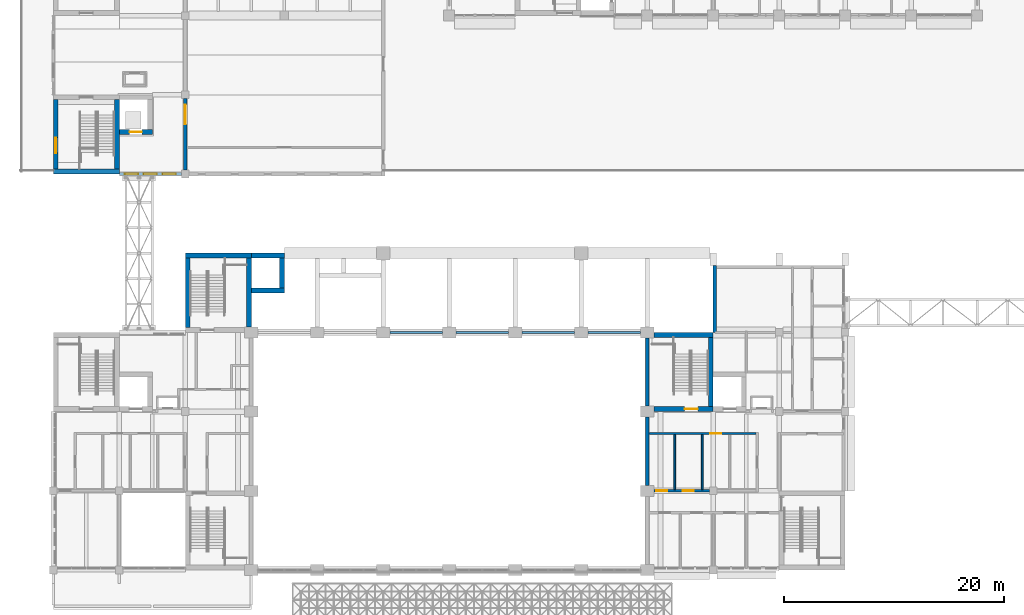
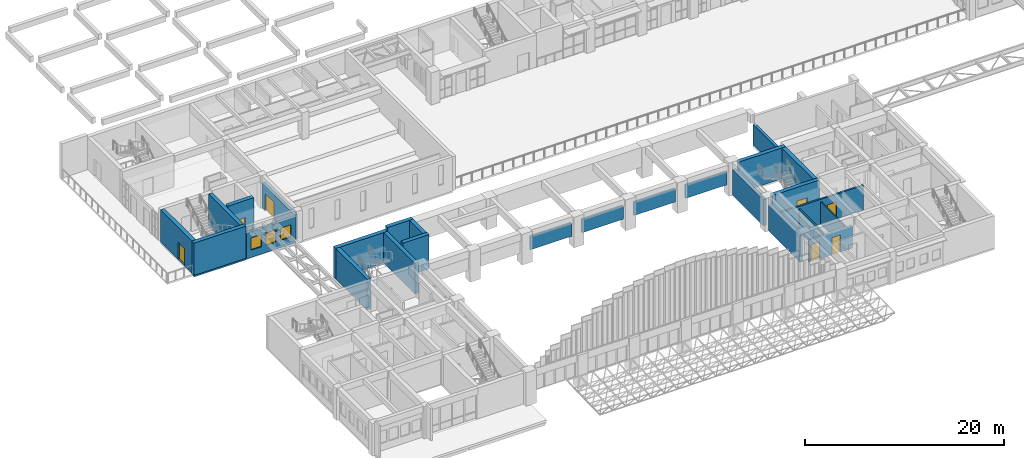
# One storey, part 64 of 103: 28 walls, 7 doors, 3 windows, 10 openings.
"""IFC4 building model written with IfcOpenShell, lengths in metres."""

from ifc_helpers import new_model, si_unit, direction, frame, frame_2d, origin, place, context, subcontext, project, spatial, rectangle, extrude, material, layer, layer_set, type_object, element, fill, save


model = new_model("IFC4")

# Units and contexts
model_context = context("Model", 3, precision=1e-05, world=origin(), true_north=direction((0.0, 1.0)))
body_context = subcontext(model_context, "Body", "Model", "MODEL_VIEW")
ifc_project = project(units=[si_unit("LENGTHUNIT", "METRE"), si_unit("AREAUNIT", "SQUARE_METRE"), si_unit("VOLUMEUNIT", "CUBIC_METRE"), si_unit("PLANEANGLEUNIT", "RADIAN"), si_unit("MASSUNIT", "GRAM", prefix="KILO")], contexts=[model_context])

# Site, building, storey
site_placement = place(None, origin())
site = spatial("IfcSite", under=ifc_project, at=site_placement, CompositionType="ELEMENT")
building_placement = place(site_placement, origin())
building = spatial("IfcBuilding", under=site, at=building_placement, Name="Laocheng Heights Fire and Rescue Headquarters", CompositionType="ELEMENT")
storey_placement = place(building_placement, frame((0.0, 0.0, 4.199951171875)))
storey = spatial("IfcBuildingStorey", under=building, at=storey_placement, Name="L01", CompositionType="ELEMENT", Elevation=4.199951171875)

# Wall, openings, doors
ifc_material_1 = material(Name="Gypsum plaster")
ifc_layer_1 = layer(ifc_material_1, 0.010009765625, Name="PLASTER", Category="plaster")
ifc_material_2 = material(Name="Concrete blockwork MU10", Category="masonry")
ifc_layer_2 = layer(ifc_material_2, 0.179931640625, Name="BLOCKWORK", Category="masonry")
ifc_layer_3 = layer(ifc_material_1, 0.010009765625, Name="PLASTER", Category="plaster")
ifc_layer_set_1 = layer_set([ifc_layer_1, ifc_layer_2, ifc_layer_3], Name="Concrete blockwork MU10")
wall_type_1 = type_object("IfcWallType", Name="BLOCKWORK FIRE PARTITION 200 EI 60 BAY", PredefinedType="PARTITIONING", material=ifc_layer_set_1)
wall_1_placement = place(storey_placement, frame((54.60009765625, 7.199951171875, 0.0), z_axis=(0.0, 0.0, 1.0), x_axis=(1.0, 0.0, 0.0)))
wall_1 = element("IfcWall", 1, at=wall_1_placement, inside=storey, type_object=wall_type_1, Name="Partition L01-030", PredefinedType="PARTITIONING", context=body_context, shape_type="SweptSolid", body=[
    extrude(rectangle(XDim=5.0498046875, YDim=0.199951171875, at=frame_2d((2.52490234375, 0.0))), origin(), (0.0, 0.0, 1.0), 2.75),
])
opening_1_placement = place(wall_1_placement, frame((0.22509765625, 0.0, 0.0)))
opening_1 = element("IfcOpeningElement", 2, at=opening_1_placement, cuts=wall_1, Name="Opening L01-I16", PredefinedType="OPENING", context=body_context, shape_type="SweptSolid", body=[
    extrude(rectangle(XDim=1.0, YDim=2.10009765625, at=frame_2d((0.5, 1.050048828125))), frame((0.0, 0.10986328125, 0.0), z_axis=(0.0, -1.0, 0.0), x_axis=(1.0, 0.0, 0.0)), (0.0, 0.0, 1.0), 0.219970703125),
])
opening_2_placement = place(wall_1_placement, frame((2.64990234375, 0.0, 0.0)))
opening_2 = element("IfcOpeningElement", 3, at=opening_2_placement, cuts=wall_1, Name="Opening L01-I19", PredefinedType="OPENING", context=body_context, shape_type="SweptSolid", body=[
    extrude(rectangle(XDim=1.0, YDim=2.10009765625, at=frame_2d((0.5, 1.050048828125))), frame((0.0, 0.10986328125, 0.0), z_axis=(0.0, -1.0, 0.0), x_axis=(1.0, 0.0, 0.0)), (0.0, 0.0, 1.0), 0.219970703125),
])
ifc_material_3 = material(Name="Steel door leaf, painted", Category="steel")
door_type_1 = type_object("IfcDoorType", Name="STEEL FIRE DOOR 1000x2100 EI 60 BAY", OperationType="SINGLE_SWING_LEFT", PredefinedType="DOOR", material=ifc_material_3)
door_1_placement = place(opening_1_placement, origin())
door_1 = element("IfcDoor", 4, at=door_1_placement, inside=storey, type_object=door_type_1, Name="Door L01-I16", OperationType="SINGLE_SWING_LEFT", OverallHeight=2.10009765625, OverallWidth=1.0, PredefinedType="DOOR", context=body_context, shape_type="SweptSolid", body=[
    extrude(rectangle(XDim=1.0, YDim=2.10009765625, at=frame_2d((0.5, 1.050048828125))), frame((0.0, 0.02490234375, 0.0), z_axis=(0.0, -1.0, 0.0), x_axis=(1.0, 0.0, 0.0)), (0.0, 0.0, 1.0), 0.050048828125),
])
fill(opening_1, door_1)
door_2_placement = place(opening_2_placement, origin())
door_2 = element("IfcDoor", 5, at=door_2_placement, inside=storey, type_object=door_type_1, Name="Door L01-I19", OperationType="SINGLE_SWING_LEFT", OverallHeight=2.10009765625, OverallWidth=1.0, PredefinedType="DOOR", context=body_context, shape_type="SweptSolid", body=[
    extrude(rectangle(XDim=1.0, YDim=2.10009765625, at=frame_2d((0.5, 1.050048828125))), frame((0.0, 0.02490234375, 0.0), z_axis=(0.0, -1.0, 0.0), x_axis=(1.0, 0.0, 0.0)), (0.0, 0.0, 1.0), 0.050048828125),
])
fill(opening_2, door_2)

# Wall, opening, door
wall_2_placement = place(storey_placement, frame((54.14990234375, 12.39990234375, 0.0), z_axis=(0.0, 0.0, 1.0), x_axis=(1.0, 0.0, 0.0)))
wall_2 = element("IfcWall", 6, at=wall_2_placement, inside=storey, type_object=wall_type_1, Name="Partition L01-034", PredefinedType="PARTITIONING", context=body_context, shape_type="SweptSolid", body=[
    extrude(rectangle(XDim=9.75, YDim=0.199951171875, at=frame_2d((4.875, 0.0))), origin(), (0.0, 0.0, 1.0), 3.050048828125),
])
opening_3_placement = place(wall_2_placement, frame((5.60009765625, 0.0, 0.0)))
opening_3 = element("IfcOpeningElement", 7, at=opening_3_placement, cuts=wall_2, Name="Opening L01-I22", PredefinedType="OPENING", context=body_context, shape_type="SweptSolid", body=[
    extrude(rectangle(XDim=1.0, YDim=2.10009765625, at=frame_2d((0.5, 1.050048828125))), frame((0.0, 0.10986328125, 0.0), z_axis=(0.0, -1.0, 0.0), x_axis=(1.0, 0.0, 0.0)), (0.0, 0.0, 1.0), 0.219970703125),
])
door_3_placement = place(opening_3_placement, frame((1.0, 0.0, 0.0), z_axis=(0.0, 0.0, 1.0), x_axis=(-1.0, 0.0, 0.0)))
door_3 = element("IfcDoor", 8, at=door_3_placement, inside=storey, type_object=door_type_1, Name="Door L01-I22", OperationType="SINGLE_SWING_RIGHT", OverallHeight=2.10009765625, OverallWidth=1.0, PredefinedType="DOOR", context=body_context, shape_type="SweptSolid", body=[
    extrude(rectangle(XDim=1.0, YDim=2.10009765625, at=frame_2d((0.5, 1.050048828125))), frame((0.0, 0.02490234375, 0.0), z_axis=(0.0, -1.0, 0.0), x_axis=(1.0, 0.0, 0.0)), (0.0, 0.0, 1.0), 0.050048828125),
])
fill(opening_3, door_3)

# Walls
ifc_material_4 = material(Name="Gypsum plaster")
ifc_layer_4 = layer(ifc_material_4, 0.010009765625, Name="PLASTER", Category="plaster")
ifc_material_5 = material(Name="Concrete blockwork MU10", Category="masonry")
ifc_layer_5 = layer(ifc_material_5, 0.1298828125, Name="BLOCKWORK", Category="masonry")
ifc_layer_6 = layer(ifc_material_4, 0.010009765625, Name="PLASTER", Category="plaster")
ifc_layer_set_2 = layer_set([ifc_layer_4, ifc_layer_5, ifc_layer_6], Name="Concrete blockwork MU10")
wall_type_2 = type_object("IfcWallType", Name="BLOCKWORK PARTITION 150 EI 45 BAY", PredefinedType="PARTITIONING", material=ifc_layer_set_2)
for number, where, z_axis, x_axis, name in (
    (9, (56.5, 7.300048828125, 0.0), (0.0, 0.0, 1.0), (0.0, 1.0, 0.0), "Partition L01-012"),
    (10, (59.0, 7.300048828125, 0.0), (0.0, 0.0, 1.0), (0.0, 1.0, 0.0), "Partition L01-014"),
):
    element("IfcWall", number, at=place(storey_placement, frame(where, z_axis=z_axis, x_axis=x_axis)), inside=storey, type_object=wall_type_2, Name=name, PredefinedType="PARTITIONING", context=body_context, shape_type="SweptSolid", body=[
        extrude(rectangle(XDim=5.0, YDim=0.14990234375, at=frame_2d((2.5, 0.0))), origin(), (0.0, 0.0, 1.0), 2.75),
    ])
ifc_material_6 = material(Name="Precast concrete C40/50", Category="concrete")
ifc_layer_7 = layer(ifc_material_6, 0.199951171875)
ifc_layer_set_3 = layer_set([ifc_layer_7], Name="Precast concrete C40/50")
wall_type_3 = type_object("IfcWallType", Name="PRECAST GABLE PANEL 200", PredefinedType="SOLIDWALL", material=ifc_layer_set_3)
for number, where, z_axis, x_axis, name in (
    (11, (30.60009765625, 21.60009765625, 1.199951171875), (0.0, 0.0, 1.0), (1.0, 0.0, 0.0), "Gable precast panel N3"),
    (12, (36.60009765625, 21.60009765625, 1.199951171875), (0.0, 0.0, 1.0), (1.0, 0.0, 0.0), "Gable precast panel N4"),
    (13, (42.60009765625, 21.60009765625, 1.199951171875), (0.0, 0.0, 1.0), (1.0, 0.0, 0.0), "Gable precast panel N5"),
    (14, (48.60009765625, 21.60009765625, 1.199951171875), (0.0, 0.0, 1.0), (1.0, 0.0, 0.0), "Gable precast panel N6"),
):
    element("IfcWall", number, at=place(storey_placement, frame(where, z_axis=z_axis, x_axis=x_axis)), inside=storey, type_object=wall_type_3, Name=name, PredefinedType="SOLIDWALL", context=body_context, shape_type="SweptSolid", body=[
        extrude(rectangle(XDim=4.7998046875, YDim=0.199951171875, at=frame_2d((2.39990234375, 0.0))), origin(), (0.0, 0.0, 1.0), 1.650146484375),
    ])
ifc_material_7 = material(Name="Cast stone cladding", Category="masonry")
ifc_layer_8 = layer(ifc_material_7, 0.0400390625, Name="CAST STONE FACING", Category="face")
ifc_material_8 = material(Name="Mineral wool insulation board")
ifc_layer_9 = layer(ifc_material_8, 0.080078125, Name="CAVITY INSULATION", Category="insulation")
ifc_material_9 = material(Name="Autoclaved aerated concrete A3.5", Category="concrete")
ifc_layer_10 = layer(ifc_material_9, 0.169921875, Name="BLOCKWORK LEAF", Category="masonry")
ifc_material_10 = material(Name="Gypsum plaster")
ifc_layer_11 = layer(ifc_material_10, 0.010009765625, Name="INTERNAL PLASTER", Category="plaster")
ifc_layer_set_4 = layer_set([ifc_layer_8, ifc_layer_9, ifc_layer_10, ifc_layer_11], Name="Precast concrete C40/50")
wall_type_4 = type_object("IfcWallType", Name="PRECAST PLANT WALL 300 ANNEX", PredefinedType="SOLIDWALL", material=ifc_layer_set_4)
wall_3_placement = place(storey_placement, frame((60.14990234375, 21.60009765625, 0.0), z_axis=(0.0, 0.0, 1.0), x_axis=(0.0, 1.0, 0.0)))
element("IfcWall", 15, at=wall_3_placement, inside=storey, type_object=wall_type_4, Name="Annex wall L01", PredefinedType="SOLIDWALL", context=body_context, shape_type="SweptSolid", body=[
    extrude(rectangle(XDim=6.099853515625, YDim=0.300048828125, at=frame_2d((3.0498046875, 0.0))), origin(), (0.0, 0.0, 1.0), 2.550048828125),
])

# Wall, openings, windows
ifc_material_11 = material(Name="Precast concrete C40/50", Category="concrete")
ifc_layer_12 = layer(ifc_material_11, 0.300048828125)
ifc_layer_set_5 = layer_set([ifc_layer_12], Name="Precast concrete C40/50")
wall_type_5 = type_object("IfcWallType", Name="PRECAST WALL PANEL FOYER 300", PredefinedType="SOLIDWALL", material=ifc_layer_set_5)
wall_4_placement = place(storey_placement, frame((6.0, 36.0, 0.0), z_axis=(0.0, 0.0, 1.0), x_axis=(1.0, 0.0, 0.0)))
wall_4 = element("IfcWall", 16, at=wall_4_placement, inside=storey, type_object=wall_type_5, Name="PRECAST WALL PANEL FOYER FOYER SOUTH L01", PredefinedType="SOLIDWALL", context=body_context, shape_type="SweptSolid", body=[
    extrude(rectangle(XDim=5.64990234375, YDim=0.300048828125, at=frame_2d((2.824951171875, 0.0))), origin(), (0.0, 0.0, 1.0), 3.150146484375),
])
opening_4_placement = place(wall_4_placement, frame((0.512451171875, 0.0, 0.89990234375)))
opening_4 = element("IfcOpeningElement", 17, at=opening_4_placement, cuts=wall_4, Name="Opening N1-V", PredefinedType="OPENING", context=body_context, shape_type="SweptSolid", body=[
    extrude(rectangle(XDim=1.199951171875, YDim=1.5, at=frame_2d((0.60009765625, 0.75))), frame((0.0, 0.159912109375, 0.0), z_axis=(0.0, -1.0, 0.0), x_axis=(1.0, 0.0, 0.0)), (0.0, 0.0, 1.0), 0.320068359375),
])
opening_5_placement = place(wall_4_placement, frame((2.22509765625, 0.0, 0.89990234375)))
opening_5 = element("IfcOpeningElement", 18, at=opening_5_placement, cuts=wall_4, Name="Opening N1-V", PredefinedType="OPENING", context=body_context, shape_type="SweptSolid", body=[
    extrude(rectangle(XDim=1.199951171875, YDim=1.5, at=frame_2d((0.60009765625, 0.75))), frame((0.0, 0.159912109375, 0.0), z_axis=(0.0, -1.0, 0.0), x_axis=(1.0, 0.0, 0.0)), (0.0, 0.0, 1.0), 0.320068359375),
])
opening_6_placement = place(wall_4_placement, frame((3.9375, 0.0, 0.89990234375)))
opening_6 = element("IfcOpeningElement", 19, at=opening_6_placement, cuts=wall_4, Name="Opening N1-V", PredefinedType="OPENING", context=body_context, shape_type="SweptSolid", body=[
    extrude(rectangle(XDim=1.199951171875, YDim=1.5, at=frame_2d((0.60009765625, 0.75))), frame((0.0, 0.159912109375, 0.0), z_axis=(0.0, -1.0, 0.0), x_axis=(1.0, 0.0, 0.0)), (0.0, 0.0, 1.0), 0.320068359375),
])
ifc_material_12 = material(Name="Low-e double glazing in aluminium frame", Category="aluminium")
window_type = type_object("IfcWindowType", Name="WINDOW 1200 x 1500 FOYER ALUMINIUM", PartitioningType="SINGLE_PANEL", PredefinedType="WINDOW", material=ifc_material_12)
window_1_placement = place(opening_4_placement, origin())
window_1 = element("IfcWindow", 20, at=window_1_placement, inside=storey, type_object=window_type, Name="FOYER ALUMINIUM FOYER SOUTH L01", OverallHeight=1.5, OverallWidth=1.199951171875, PartitioningType="SINGLE_PANEL", PredefinedType="WINDOW", context=body_context, shape_type="SweptSolid", body=[
    extrude(rectangle(XDim=1.199951171875, YDim=1.5, at=frame_2d((0.60009765625, 0.75))), frame((0.0, 0.030029296875, 0.0), z_axis=(0.0, -1.0, 0.0), x_axis=(1.0, 0.0, 0.0)), (0.0, 0.0, 1.0), 0.06005859375),
])
fill(opening_4, window_1)
window_2_placement = place(opening_5_placement, origin())
window_2 = element("IfcWindow", 21, at=window_2_placement, inside=storey, type_object=window_type, Name="FOYER ALUMINIUM FOYER SOUTH L01", OverallHeight=1.5, OverallWidth=1.199951171875, PartitioningType="SINGLE_PANEL", PredefinedType="WINDOW", context=body_context, shape_type="SweptSolid", body=[
    extrude(rectangle(XDim=1.199951171875, YDim=1.5, at=frame_2d((0.60009765625, 0.75))), frame((0.0, 0.030029296875, 0.0), z_axis=(0.0, -1.0, 0.0), x_axis=(1.0, 0.0, 0.0)), (0.0, 0.0, 1.0), 0.06005859375),
])
fill(opening_5, window_2)
window_3_placement = place(opening_6_placement, origin())
window_3 = element("IfcWindow", 22, at=window_3_placement, inside=storey, type_object=window_type, Name="FOYER ALUMINIUM FOYER SOUTH L01", OverallHeight=1.5, OverallWidth=1.199951171875, PartitioningType="SINGLE_PANEL", PredefinedType="WINDOW", context=body_context, shape_type="SweptSolid", body=[
    extrude(rectangle(XDim=1.199951171875, YDim=1.5, at=frame_2d((0.60009765625, 0.75))), frame((0.0, 0.030029296875, 0.0), z_axis=(0.0, -1.0, 0.0), x_axis=(1.0, 0.0, 0.0)), (0.0, 0.0, 1.0), 0.06005859375),
])
fill(opening_6, window_3)

# Walls
ifc_material_13 = material(Name="Concrete C50", Category="concrete")
ifc_layer_13 = layer(ifc_material_13, 0.35009765625)
ifc_layer_set_6 = layer_set([ifc_layer_13], Name="Concrete C50")
wall_type_6 = type_object("IfcWallType", Name="RC COMPARTMENT WALL 350 HALL REI 180", PredefinedType="SOLIDWALL", material=ifc_layer_set_6)
wall_5_placement = place(storey_placement, frame((54.0, 7.699951171875, 0.0), z_axis=(0.0, 0.0, 1.0), x_axis=(0.0, 1.0, 0.0)))
element("IfcWall", 23, at=wall_5_placement, inside=storey, type_object=wall_type_6, Name="Hall compartment wall E2", PredefinedType="SOLIDWALL", context=body_context, shape_type="SweptSolid", body=[
    extrude(rectangle(XDim=6.199951171875, YDim=0.35009765625, at=frame_2d((3.10009765625, 0.0))), origin(), (0.0, 0.0, 1.0), 3.1904296875),
])
wall_6_placement = place(storey_placement, frame((54.0, 14.89990234375, 0.0), z_axis=(0.0, 0.0, 1.0), x_axis=(0.0, 1.0, 0.0)))
element("IfcWall", 24, at=wall_6_placement, inside=storey, type_object=wall_type_6, Name="Hall compartment wall E3", PredefinedType="SOLIDWALL", context=body_context, shape_type="SweptSolid", body=[
    extrude(rectangle(XDim=6.2001953125, YDim=0.35009765625, at=frame_2d((3.10009765625, 0.0))), origin(), (0.0, 0.0, 1.0), 3.1904296875),
])
ifc_material_14 = material(Name="Concrete C50", Category="concrete")
ifc_layer_14 = layer(ifc_material_14, 0.449951171875)
ifc_layer_set_7 = layer_set([ifc_layer_14], Name="Concrete C50")
wall_type_7 = type_object("IfcWallType", Name="RC LIFT SHAFT WALL 450", PredefinedType="SHEAR", material=ifc_layer_set_7)
for number, where, z_axis, x_axis, name in (
    (25, (18.0, 25.425048828125, 0.0), (0.0, 0.0, 1.0), (1.0, 0.0, 0.0), "Lift shaft wall"),
    (26, (18.0, 28.574951171875, 0.0), (0.0, 0.0, 1.0), (1.0, 0.0, 0.0), "Lift shaft wall"),
):
    element("IfcWall", number, at=place(storey_placement, frame(where, z_axis=z_axis, x_axis=x_axis)), inside=storey, type_object=wall_type_7, Name=name, PredefinedType="SHEAR", context=body_context, shape_type="SweptSolid", body=[
        extrude(rectangle(XDim=3.0, YDim=0.449951171875, at=frame_2d((1.5, 0.0))), origin(), (0.0, 0.0, 1.0), 4.199951171875),
    ])
wall_7_placement = place(storey_placement, frame((20.77490234375, 25.64990234375, 0.0), z_axis=(0.0, 0.0, 1.0), x_axis=(0.0, 1.0, 0.0)))
element("IfcWall", 27, at=wall_7_placement, inside=storey, type_object=wall_type_7, Name="Lift shaft wall", PredefinedType="SHEAR", context=body_context, shape_type="SweptSolid", body=[
    extrude(rectangle(XDim=2.7001953125, YDim=0.449951171875, at=frame_2d((1.35009765625, 0.0))), origin(), (0.0, 0.0, 1.0), 4.199951171875),
])

# Wall, opening, door
wall_8_placement = place(storey_placement, frame((6.0, 39.824951171875, 0.0), z_axis=(0.0, 0.0, 1.0), x_axis=(1.0, 0.0, 0.0)))
wall_8 = element("IfcWall", 28, at=wall_8_placement, inside=storey, type_object=wall_type_7, Name="Lift shaft wall", PredefinedType="SHEAR", context=body_context, shape_type="SweptSolid", body=[
    extrude(rectangle(XDim=3.0, YDim=0.449951171875, at=frame_2d((1.5, 0.0))), origin(), (0.0, 0.0, 1.0), 4.199951171875),
])
opening_7_placement = place(wall_8_placement, frame((0.949951171875, 0.0, 0.0)))
opening_7 = element("IfcOpeningElement", 29, at=opening_7_placement, cuts=wall_8, Name="Opening L01-K12", PredefinedType="OPENING", context=body_context, shape_type="SweptSolid", body=[
    extrude(rectangle(XDim=1.10009765625, YDim=2.10009765625, at=frame_2d((0.550048828125, 1.050048828125))), frame((0.0, 0.23486328125, 0.0), z_axis=(0.0, -1.0, 0.0), x_axis=(1.0, 0.0, 0.0)), (0.0, 0.0, 1.0), 0.469970703125),
])
ifc_material_15 = material(Name="Stainless steel", Category="steel")
door_type_2 = type_object("IfcDoorType", Name="LANDING DOOR P-L1 SLIDING 1100x2100 E 120", OperationType="DOUBLE_DOOR_SLIDING", PredefinedType="DOOR", material=ifc_material_15)
door_4_placement = place(opening_7_placement, origin())
door_4 = element("IfcDoor", 30, at=door_4_placement, inside=storey, type_object=door_type_2, Name="Landing door P-L1", OperationType="DOUBLE_DOOR_SLIDING", OverallHeight=2.10009765625, OverallWidth=1.10009765625, PredefinedType="DOOR", context=body_context, shape_type="SweptSolid", body=[
    extrude(rectangle(XDim=1.10009765625, YDim=2.10009765625, at=frame_2d((0.550048828125, 1.050048828125))), frame((0.0, 0.02490234375, 0.0), z_axis=(0.0, -1.0, 0.0), x_axis=(1.0, 0.0, 0.0)), (0.0, 0.0, 1.0), 0.050048828125),
])
fill(opening_7, door_4)

ifc_material_16 = material(Name="Concrete C40", Category="concrete")
ifc_layer_15 = layer(ifc_material_16, 0.35009765625)
ifc_layer_set_8 = layer_set([ifc_layer_15], Name="Concrete C40")
wall_type_8 = type_object("IfcWallType", Name="RC SHEAR WALL 350 THEATRE", PredefinedType="SHEAR", material=ifc_layer_set_8)
wall_9_placement = place(storey_placement, frame((12.0, 36.35009765625, 0.0), z_axis=(0.0, 0.0, 1.0), x_axis=(0.0, 1.0, 0.0)))
wall_9 = element("IfcWall", 31, at=wall_9_placement, inside=storey, type_object=wall_type_8, Name="Theatre west wall L01", PredefinedType="SHEAR", context=body_context, shape_type="SweptSolid", body=[
    extrude(rectangle(XDim=6.5, YDim=0.35009765625, at=frame_2d((3.25, 0.0))), origin(), (0.0, 0.0, 1.0), 3.050048828125),
])
opening_8_placement = place(wall_9_placement, frame((4.14990234375, 0.0, 0.0)))
opening_8 = element("IfcOpeningElement", 32, at=opening_8_placement, cuts=wall_9, Name="Opening L01-P01", PredefinedType="OPENING", context=body_context, shape_type="SweptSolid", body=[
    extrude(rectangle(XDim=1.800048828125, YDim=2.10009765625, at=frame_2d((0.89990234375, 1.050048828125))), frame((0.0, 0.18505859375, 0.0), z_axis=(0.0, -1.0, 0.0), x_axis=(1.0, 0.0, 0.0)), (0.0, 0.0, 1.0), 0.3701171875),
])
ifc_material_17 = material(Name="Steel door leaf, painted", Category="steel")
door_type_3 = type_object("IfcDoorType", Name="STEEL FIRE DOOR 1800x2100 EI 60 PAVILION", OperationType="DOUBLE_DOOR_SINGLE_SWING", PredefinedType="DOOR", material=ifc_material_17)
door_5_placement = place(opening_8_placement, origin())
door_5 = element("IfcDoor", 33, at=door_5_placement, inside=storey, type_object=door_type_3, Name="Door L01-P01", OperationType="DOUBLE_DOOR_SINGLE_SWING", OverallHeight=2.10009765625, OverallWidth=1.800048828125, PredefinedType="DOOR", context=body_context, shape_type="SweptSolid", body=[
    extrude(rectangle(XDim=1.800048828125, YDim=2.10009765625, at=frame_2d((0.89990234375, 1.050048828125))), frame((0.0, 0.02490234375, 0.0), z_axis=(0.0, -1.0, 0.0), x_axis=(1.0, 0.0, 0.0)), (0.0, 0.0, 1.0), 0.050048828125),
])
fill(opening_8, door_5)

ifc_material_18 = material(Name="Concrete C50", Category="concrete")
ifc_layer_16 = layer(ifc_material_18, 0.449951171875)
ifc_layer_set_9 = layer_set([ifc_layer_16], Name="Concrete C50")
wall_type_9 = type_object("IfcWallType", Name="RC STAIR ENCLOSURE WALL 450", PredefinedType="SHEAR", material=ifc_layer_set_9)
wall_10_placement = place(storey_placement, frame((54.60009765625, 14.625, 0.0), z_axis=(0.0, 0.0, 1.0), x_axis=(1.0, 0.0, 0.0)))
wall_10 = element("IfcWall", 34, at=wall_10_placement, inside=storey, type_object=wall_type_9, Name="Stair enclosure wall", PredefinedType="SHEAR", context=body_context, shape_type="SweptSolid", body=[
    extrude(rectangle(XDim=5.39990234375, YDim=0.449951171875, at=frame_2d((2.699951171875, 0.0))), origin(), (0.0, 0.0, 1.0), 3.780029296875),
])
opening_9_placement = place(wall_10_placement, frame((2.800048828125, 0.0, 0.0)))
opening_9 = element("IfcOpeningElement", 35, at=opening_9_placement, cuts=wall_10, Name="Opening L01-K05", PredefinedType="OPENING", context=body_context, shape_type="SweptSolid", body=[
    extrude(rectangle(XDim=1.199951171875, YDim=2.10009765625, at=frame_2d((0.60009765625, 1.050048828125))), frame((0.0, 0.23486328125, 0.0), z_axis=(0.0, -1.0, 0.0), x_axis=(1.0, 0.0, 0.0)), (0.0, 0.0, 1.0), 0.469970703125),
])
ifc_material_19 = material(Name="Painted steel", Category="steel")
door_type_4 = type_object("IfcDoorType", Name="FIRE DOOR 1200x2100 EI 60", OperationType="SINGLE_SWING_LEFT", PredefinedType="DOOR", material=ifc_material_19)
door_6_placement = place(opening_9_placement, origin())
door_6 = element("IfcDoor", 36, at=door_6_placement, inside=storey, type_object=door_type_4, Name="Stair E1 door", OperationType="SINGLE_SWING_RIGHT", OverallHeight=2.10009765625, OverallWidth=1.199951171875, PredefinedType="DOOR", context=body_context, shape_type="SweptSolid", body=[
    extrude(rectangle(XDim=1.199951171875, YDim=2.10009765625, at=frame_2d((0.60009765625, 1.050048828125))), frame((0.0, 0.02490234375, 0.0), z_axis=(0.0, -1.0, 0.0), x_axis=(1.0, 0.0, 0.0)), (0.0, 0.0, 1.0), 0.050048828125),
])
fill(opening_9, door_6)

# Walls
wall_11_placement = place(storey_placement, frame((54.60009765625, 21.375, 0.0), z_axis=(0.0, 0.0, 1.0), x_axis=(1.0, 0.0, 0.0)))
element("IfcWall", 37, at=wall_11_placement, inside=storey, type_object=wall_type_9, Name="Stair enclosure wall", PredefinedType="SHEAR", context=body_context, shape_type="SweptSolid", body=[
    extrude(rectangle(XDim=5.39990234375, YDim=0.449951171875, at=frame_2d((2.699951171875, 0.0))), origin(), (0.0, 0.0, 1.0), 3.780029296875),
])
wall_12_placement = place(storey_placement, frame((59.77490234375, 14.85009765625, 0.0), z_axis=(0.0, 0.0, 1.0), x_axis=(0.0, 1.0, 0.0)))
element("IfcWall", 38, at=wall_12_placement, inside=storey, type_object=wall_type_9, Name="Stair enclosure wall", PredefinedType="SHEAR", context=body_context, shape_type="SweptSolid", body=[
    extrude(rectangle(XDim=6.2998046875, YDim=0.449951171875, at=frame_2d((3.14990234375, 0.0))), origin(), (0.0, 0.0, 1.0), 3.780029296875),
])
wall_13_placement = place(storey_placement, frame((12.0, 28.574951171875, 0.0), z_axis=(0.0, 0.0, 1.0), x_axis=(1.0, 0.0, 0.0)))
element("IfcWall", 39, at=wall_13_placement, inside=storey, type_object=wall_type_9, Name="Stair enclosure wall", PredefinedType="SHEAR", context=body_context, shape_type="SweptSolid", body=[
    extrude(rectangle(XDim=6.0, YDim=0.449951171875, at=frame_2d((3.0, 0.0))), origin(), (0.0, 0.0, 1.0), 3.75),
])
wall_14_placement = place(storey_placement, frame((12.22509765625, 22.050048828125, 0.0), z_axis=(0.0, 0.0, 1.0), x_axis=(0.0, 1.0, 0.0)))
element("IfcWall", 40, at=wall_14_placement, inside=storey, type_object=wall_type_9, Name="Stair enclosure wall", PredefinedType="SHEAR", context=body_context, shape_type="SweptSolid", body=[
    extrude(rectangle(XDim=6.300048828125, YDim=0.449951171875, at=frame_2d((3.14990234375, 0.0))), origin(), (0.0, 0.0, 1.0), 3.75),
])
wall_15_placement = place(storey_placement, frame((17.77490234375, 22.10009765625, 0.0), z_axis=(0.0, 0.0, 1.0), x_axis=(0.0, 1.0, 0.0)))
element("IfcWall", 41, at=wall_15_placement, inside=storey, type_object=wall_type_9, Name="Stair enclosure wall", PredefinedType="SHEAR", context=body_context, shape_type="SweptSolid", body=[
    extrude(rectangle(XDim=6.25, YDim=0.449951171875, at=frame_2d((3.125, 0.0))), origin(), (0.0, 0.0, 1.0), 3.75),
])
wall_16_placement = place(storey_placement, frame((0.0, 36.22509765625, 0.0), z_axis=(0.0, 0.0, 1.0), x_axis=(1.0, 0.0, 0.0)))
element("IfcWall", 42, at=wall_16_placement, inside=storey, type_object=wall_type_9, Name="Stair enclosure wall", PredefinedType="SHEAR", context=body_context, shape_type="SweptSolid", body=[
    extrude(rectangle(XDim=6.0, YDim=0.449951171875, at=frame_2d((3.0, 0.0))), origin(), (0.0, 0.0, 1.0), 3.949951171875),
])

# Wall, opening, door
wall_17_placement = place(storey_placement, frame((0.22509765625, 36.449951171875, 0.0), z_axis=(0.0, 0.0, 1.0), x_axis=(0.0, 1.0, 0.0)))
wall_17 = element("IfcWall", 43, at=wall_17_placement, inside=storey, type_object=wall_type_9, Name="Stair enclosure wall", PredefinedType="SHEAR", context=body_context, shape_type="SweptSolid", body=[
    extrude(rectangle(XDim=6.300048828125, YDim=0.449951171875, at=frame_2d((3.14990234375, 0.0))), origin(), (0.0, 0.0, 1.0), 3.949951171875),
])
opening_10_placement = place(wall_17_placement, frame((1.449951171875, 0.0, 0.0)))
opening_10 = element("IfcOpeningElement", 44, at=opening_10_placement, cuts=wall_17, Name="Opening L01-K11", PredefinedType="OPENING", context=body_context, shape_type="SweptSolid", body=[
    extrude(rectangle(XDim=1.39990234375, YDim=2.10009765625, at=frame_2d((0.699951171875, 1.050048828125))), frame((0.0, 0.23486328125, 0.0), z_axis=(0.0, -1.0, 0.0), x_axis=(1.0, 0.0, 0.0)), (0.0, 0.0, 1.0), 0.469970703125),
])
ifc_material_20 = material(Name="Painted steel", Category="steel")
door_type_5 = type_object("IfcDoorType", Name="STAIR EXIT DOOR 1400x2100 EI 60", OperationType="DOUBLE_DOOR_SINGLE_SWING", PredefinedType="DOOR", material=ifc_material_20)
door_7_placement = place(opening_10_placement, origin())
door_7 = element("IfcDoor", 45, at=door_7_placement, inside=storey, type_object=door_type_5, Name="Stair P1 exit door", OperationType="DOUBLE_DOOR_SINGLE_SWING", OverallHeight=2.10009765625, OverallWidth=1.39990234375, PredefinedType="DOOR", context=body_context, shape_type="SweptSolid", body=[
    extrude(rectangle(XDim=1.39990234375, YDim=2.10009765625, at=frame_2d((0.699951171875, 1.050048828125))), frame((0.0, 0.02490234375, 0.0), z_axis=(0.0, -1.0, 0.0), x_axis=(1.0, 0.0, 0.0)), (0.0, 0.0, 1.0), 0.050048828125),
])
fill(opening_10, door_7)

# Walls
wall_18_placement = place(storey_placement, frame((5.77490234375, 36.449951171875, 0.0), z_axis=(0.0, 0.0, 1.0), x_axis=(0.0, 1.0, 0.0)))
element("IfcWall", 46, at=wall_18_placement, inside=storey, type_object=wall_type_9, Name="Stair enclosure wall", PredefinedType="SHEAR", context=body_context, shape_type="SweptSolid", body=[
    extrude(rectangle(XDim=6.300048828125, YDim=0.449951171875, at=frame_2d((3.14990234375, 0.0))), origin(), (0.0, 0.0, 1.0), 3.949951171875),
])
ifc_material_21 = material(Name="Concrete C40", Category="concrete")
ifc_layer_17 = layer(ifc_material_21, 0.449951171875)
ifc_layer_set_10 = layer_set([ifc_layer_17], Name="Concrete C40")
wall_type_10 = type_object("IfcWallType", Name="STAIR KERB WALL 450", PredefinedType="SOLIDWALL", material=ifc_layer_set_10)
wall_19_placement = place(storey_placement, frame((0.0, 36.22509765625, -0.199951171875), z_axis=(0.0, 0.0, 1.0), x_axis=(1.0, 0.0, 0.0)))
element("IfcWall", 47, at=wall_19_placement, inside=storey, type_object=wall_type_10, Name="Stair kerb wall", PredefinedType="SOLIDWALL", context=body_context, shape_type="SweptSolid", body=[
    extrude(rectangle(XDim=6.0, YDim=0.449951171875, at=frame_2d((3.0, 0.0))), origin(), (0.0, 0.0, 1.0), 0.199951171875),
])
wall_20_placement = place(storey_placement, frame((0.22509765625, 36.449951171875, -0.199951171875), z_axis=(0.0, 0.0, 1.0), x_axis=(0.0, 1.0, 0.0)))
element("IfcWall", 48, at=wall_20_placement, inside=storey, type_object=wall_type_10, Name="Stair kerb wall", PredefinedType="SOLIDWALL", context=body_context, shape_type="SweptSolid", body=[
    extrude(rectangle(XDim=6.300048828125, YDim=0.449951171875, at=frame_2d((3.14990234375, 0.0))), origin(), (0.0, 0.0, 1.0), 0.199951171875),
])

save(model, "model.ifc")
